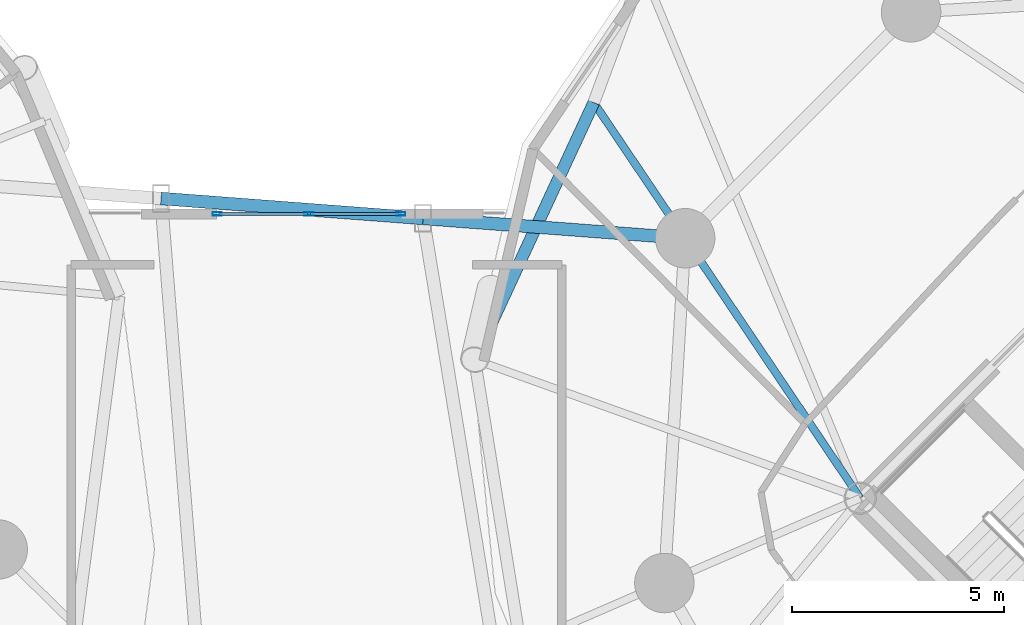
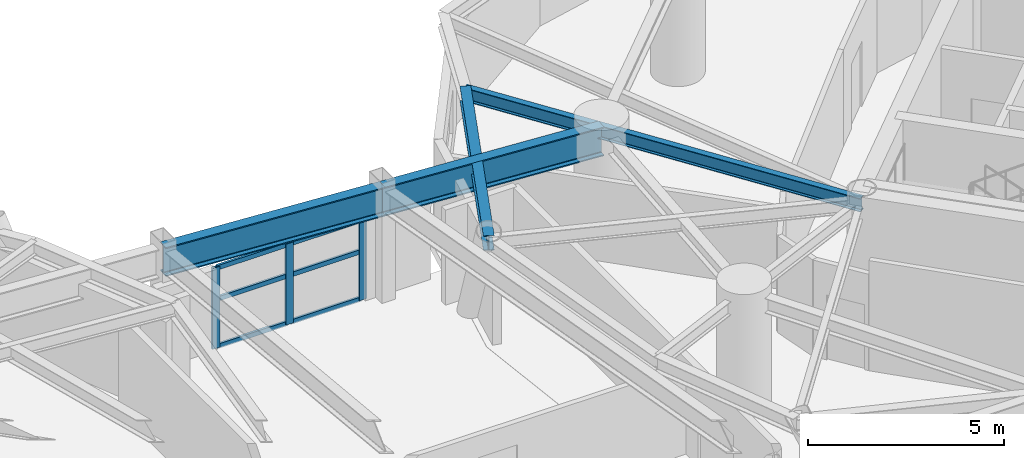
# One storey, part 6 of 19: 9 members, 4 beams, 1 element without a shape of its own.
"""IFC4 building model written with IfcOpenShell, lengths in metres."""

from ifc_helpers import new_model, si_unit, direction, frame, origin, origin_2d, place, context, subcontext, project, spatial, hollow_rectangle, i_section, extrude, material, layer, layer_set, material_profile, profile_set, type_object, element, aggregate, save


model = new_model("IFC4")

# Units and contexts
model_context = context("Model", 3, precision=1e-05, world=origin(), true_north=direction((0.0, 1.0)))
body_context = subcontext(model_context, "Body", "Model", "MODEL_VIEW")
ifc_project = project(units=[si_unit("LENGTHUNIT", "METRE"), si_unit("AREAUNIT", "SQUARE_METRE"), si_unit("VOLUMEUNIT", "CUBIC_METRE"), si_unit("PLANEANGLEUNIT", "RADIAN"), si_unit("MASSUNIT", "GRAM", prefix="KILO")], contexts=[model_context])

# Site, building, storey
site_placement = place(None, origin())
site = spatial("IfcSite", under=ifc_project, at=site_placement, CompositionType="ELEMENT")
building_placement = place(site_placement, origin())
building = spatial("IfcBuilding", under=site, at=building_placement, Name="Cununo Teusaquillo Station Towers", CompositionType="ELEMENT")
storey_placement = place(building_placement, frame((0.0, 0.0, 136.60009765625)))
storey = spatial("IfcBuildingStorey", under=building, at=storey_placement, Name="L43", CompositionType="ELEMENT", Elevation=136.60009765625)

# Beams
ifc_material_1 = material(Name="Steel EN 10025-2 S355J2", Category="steel")
ifc_material_profile_1 = material_profile(ifc_material_1, i_section(OverallWidth=0.300048828125, OverallDepth=0.89990234375, WebThickness=0.0185546875, FlangeThickness=0.034912109375, FilletRadius=0.027099609375, at=origin_2d()), Name="HEB 900")
ifc_profile_set_1 = profile_set([ifc_material_profile_1], Name="Steel EN 10025-2 S355J2")
beam_type_1 = type_object("IfcBeamType", Name="BM-BRG-CH2", PredefinedType="BEAM", material=ifc_profile_set_1)
beam_1_placement = place(storey_placement, frame((32.51611328125, 32.761474609375, 2.989990234375), z_axis=(0.997143183449, -0.075534572886, 0.0), x_axis=(0.075534572886, 0.997143183449, 0.0)))
element("IfcBeam", 1, at=beam_1_placement, inside=storey, type_object=beam_type_1, Name="L43 Mid-Bridge Chord N2", PredefinedType="BEAM", context=body_context, shape_type="SweptSolid", body=[
    extrude(i_section(OverallWidth=0.300048828125, OverallDepth=0.89990234375, WebThickness=0.0185546875, FlangeThickness=0.034912109375, FilletRadius=0.027099609375, at=origin_2d()), origin(), (0.0, 0.0, 1.0), 6.186279296875),
])
beam_2_placement = place(storey_placement, frame((38.684814453125, 32.294189453125, 2.989990234375), z_axis=(0.997143408598, -0.075531600604, 0.0), x_axis=(0.075531600604, 0.997143408598, 0.0)))
element("IfcBeam", 2, at=beam_2_placement, inside=storey, type_object=beam_type_1, Name="L43 Mid-Bridge Chord N3", PredefinedType="BEAM", context=body_context, shape_type="SweptSolid", body=[
    extrude(i_section(OverallWidth=0.300048828125, OverallDepth=0.89990234375, WebThickness=0.0185546875, FlangeThickness=0.034912109375, FilletRadius=0.027099609375, at=origin_2d()), origin(), (0.0, 0.0, 1.0), 6.1865234375),
])
ifc_material_2 = material(Name="Steel ASTM A572 Grade 50", Category="steel")
ifc_material_profile_2 = material_profile(ifc_material_2, i_section(OverallWidth=0.180908203125, OverallDepth=0.4169921875, WebThickness=0.010986328125, FlangeThickness=0.018310546875, FilletRadius=0.012939453125, at=origin_2d()), Name="W16X57")
ifc_profile_set_2 = profile_set([ifc_material_profile_2], Name="Steel ASTM A572 Grade 50")
beam_type_2 = type_object("IfcBeamType", Name="BM-RAD-G2", PredefinedType="BEAM", material=ifc_profile_set_2)
beam_3_placement = place(storey_placement, frame((48.975830078125, 25.70556640625, 3.2314453125), z_axis=(-0.558572297481, 0.82945583878, 0.0), x_axis=(-0.82945583878, -0.558572297481, 0.0)))
element("IfcBeam", 3, at=beam_3_placement, inside=storey, type_object=beam_type_2, Name="L43 Tower B Continuous Overhanging Radial Girder 04", PredefinedType="BEAM", context=body_context, shape_type="SweptSolid", body=[
    extrude(i_section(OverallWidth=0.180908203125, OverallDepth=0.4169921875, WebThickness=0.010986328125, FlangeThickness=0.018310546875, FilletRadius=0.012939453125, at=origin_2d()), origin(), (0.0, 0.0, 1.0), 11.22998046875),
])
ifc_material_3 = material(Name="Steel ASTM A572 Grade 50", Category="steel")
ifc_material_profile_3 = material_profile(ifc_material_3, i_section(OverallWidth=0.280029296875, OverallDepth=0.462890625, WebThickness=0.0107421875, FlangeThickness=0.017333984375, FilletRadius=0.013916015625, at=origin_2d()), Name="W18X76")
ifc_profile_set_3 = profile_set([ifc_material_profile_3], Name="Steel ASTM A572 Grade 50")
beam_type_3 = type_object("IfcBeamType", Name="BM-RING-Z2", PredefinedType="SPANDREL", material=ifc_profile_set_3)
beam_4_placement = place(storey_placement, frame((42.703125, 35.020263671875, 3.20849609375), z_axis=(-0.420535961689, -0.907275870354, 0.0), x_axis=(0.907275870354, -0.420535961689, 0.0)))
element("IfcBeam", 4, at=beam_4_placement, inside=storey, type_object=beam_type_3, Name="L43 Tower B Spandrel Ring Beam 07", PredefinedType="SPANDREL", context=body_context, shape_type="SweptSolid", body=[
    extrude(i_section(OverallWidth=0.280029296875, OverallDepth=0.462890625, WebThickness=0.0107421875, FlangeThickness=0.017333984375, FilletRadius=0.013916015625, at=origin_2d()), origin(), (0.0, 0.0, 1.0), 6.671142578125),
])

# Curtain wall, members
ifc_material_4 = material(Name="Ceramic-fritted dark low-E double glazing", Category="glass")
ifc_layer = layer(ifc_material_4, 0.179931640625)
ifc_layer_set = layer_set([ifc_layer], Name="Ceramic-fritted dark low-E double glazing")
curtain_wall_type = type_object("IfcCurtainWallType", Name="CW-SYS-05", PredefinedType="USERDEFINED", material=ifc_layer_set)
curtain_wall_placement = place(storey_placement, origin())
curtain_wall = element("IfcCurtainWall", 5, at=curtain_wall_placement, inside=storey, type_object=curtain_wall_type, Name="L43 Mid-Bridge N Observation Curtain Wall", ObjectType="FRITTED GLAZING", PredefinedType="USERDEFINED")
ifc_material_5 = material(Name="Anodised dark bronze aluminium EN AW-6063-T6", Category="aluminium")
ifc_material_profile_4 = material_profile(ifc_material_5, hollow_rectangle(XDim=0.080078125, YDim=0.219970703125, WallThickness=0.0048828125, at=origin_2d()), Name="CW-MULL-80x220")
ifc_profile_set_4 = profile_set([ifc_material_profile_4], Name="Anodised dark bronze aluminium EN AW-6063-T6")
member_type_1 = type_object("IfcMemberType", Name="CWM-220", PredefinedType="MULLION", material=ifc_profile_set_4)
member_1_placement = place(storey_placement, frame((33.840087890625, 32.39990234375, 0.0), z_axis=(0.0, 0.0, 1.0), x_axis=(0.0, 1.0, 0.0)))
member_1 = element("IfcMember", 6, at=member_1_placement, type_object=member_type_1, Name="CW-05 mullion 1", PredefinedType="MULLION", context=body_context, shape_type="SweptSolid", body=[
    extrude(hollow_rectangle(XDim=0.080078125, YDim=0.219970703125, WallThickness=0.0048828125, at=origin_2d()), origin(), (0.0, 0.0, 1.0), 2.511962890625),
])
member_2_placement = place(storey_placement, frame((36.0, 32.39990234375, 0.0), z_axis=(0.0, 0.0, 1.0), x_axis=(0.0, 1.0, 0.0)))
member_2 = element("IfcMember", 7, at=member_2_placement, type_object=member_type_1, Name="CW-05 mullion 2", PredefinedType="MULLION", context=body_context, shape_type="SweptSolid", body=[
    extrude(hollow_rectangle(XDim=0.080078125, YDim=0.219970703125, WallThickness=0.0048828125, at=origin_2d()), origin(), (0.0, 0.0, 1.0), 2.511962890625),
])
member_3_placement = place(storey_placement, frame((38.159912109375, 32.39990234375, 0.0), z_axis=(0.0, 0.0, 1.0), x_axis=(0.0, 1.0, 0.0)))
member_3 = element("IfcMember", 8, at=member_3_placement, type_object=member_type_1, Name="CW-05 mullion 3", PredefinedType="MULLION", context=body_context, shape_type="SweptSolid", body=[
    extrude(hollow_rectangle(XDim=0.080078125, YDim=0.219970703125, WallThickness=0.0048828125, at=origin_2d()), origin(), (0.0, 0.0, 1.0), 2.511962890625),
])
ifc_material_6 = material(Name="Anodised dark bronze aluminium EN AW-6063-T6", Category="aluminium")
ifc_material_profile_5 = material_profile(ifc_material_6, hollow_rectangle(XDim=0.070068359375, YDim=0.139892578125, WallThickness=0.00390625, at=origin_2d()), Name="CW-TRAN-70x140")
ifc_profile_set_5 = profile_set([ifc_material_profile_5], Name="Anodised dark bronze aluminium EN AW-6063-T6")
member_type_2 = type_object("IfcMemberType", Name="CWT-140", PredefinedType="USERDEFINED", material=ifc_profile_set_5)
member_4_placement = place(storey_placement, frame((33.8798828125, 32.39990234375, 0.034912109375), z_axis=(1.0, 0.0, 0.0), x_axis=(0.0, 1.0, 0.0)))
member_4 = element("IfcMember", 9, at=member_4_placement, type_object=member_type_2, Name="CW-05 transom 1.1", ObjectType="TRANSOM", PredefinedType="USERDEFINED", context=body_context, shape_type="SweptSolid", body=[
    extrude(hollow_rectangle(XDim=0.070068359375, YDim=0.139892578125, WallThickness=0.00390625, at=origin_2d()), origin(), (0.0, 0.0, 1.0), 2.080078125),
])
member_5_placement = place(storey_placement, frame((33.8798828125, 32.39990234375, 1.5068359375), z_axis=(1.0, 0.0, 0.0), x_axis=(0.0, 1.0, 0.0)))
member_5 = element("IfcMember", 10, at=member_5_placement, type_object=member_type_2, Name="CW-05 transom 1.2", ObjectType="TRANSOM", PredefinedType="USERDEFINED", context=body_context, shape_type="SweptSolid", body=[
    extrude(hollow_rectangle(XDim=0.070068359375, YDim=0.139892578125, WallThickness=0.00390625, at=origin_2d()), origin(), (0.0, 0.0, 1.0), 2.080078125),
])
member_6_placement = place(storey_placement, frame((33.8798828125, 32.39990234375, 2.476806640625), z_axis=(1.0, 0.0, 0.0), x_axis=(0.0, 1.0, 0.0)))
member_6 = element("IfcMember", 11, at=member_6_placement, type_object=member_type_2, Name="CW-05 transom 1.3", ObjectType="TRANSOM", PredefinedType="USERDEFINED", context=body_context, shape_type="SweptSolid", body=[
    extrude(hollow_rectangle(XDim=0.070068359375, YDim=0.139892578125, WallThickness=0.00390625, at=origin_2d()), origin(), (0.0, 0.0, 1.0), 2.080078125),
])
member_7_placement = place(storey_placement, frame((36.0400390625, 32.39990234375, 0.034912109375), z_axis=(1.0, 0.0, 0.0), x_axis=(0.0, 1.0, 0.0)))
member_7 = element("IfcMember", 12, at=member_7_placement, type_object=member_type_2, Name="CW-05 transom 2.1", ObjectType="TRANSOM", PredefinedType="USERDEFINED", context=body_context, shape_type="SweptSolid", body=[
    extrude(hollow_rectangle(XDim=0.070068359375, YDim=0.139892578125, WallThickness=0.00390625, at=origin_2d()), origin(), (0.0, 0.0, 1.0), 2.080078125),
])
member_8_placement = place(storey_placement, frame((36.0400390625, 32.39990234375, 1.5068359375), z_axis=(1.0, 0.0, 0.0), x_axis=(0.0, 1.0, 0.0)))
member_8 = element("IfcMember", 13, at=member_8_placement, type_object=member_type_2, Name="CW-05 transom 2.2", ObjectType="TRANSOM", PredefinedType="USERDEFINED", context=body_context, shape_type="SweptSolid", body=[
    extrude(hollow_rectangle(XDim=0.070068359375, YDim=0.139892578125, WallThickness=0.00390625, at=origin_2d()), origin(), (0.0, 0.0, 1.0), 2.080078125),
])
member_9_placement = place(storey_placement, frame((36.0400390625, 32.39990234375, 2.476806640625), z_axis=(1.0, 0.0, 0.0), x_axis=(0.0, 1.0, 0.0)))
member_9 = element("IfcMember", 14, at=member_9_placement, type_object=member_type_2, Name="CW-05 transom 2.3", ObjectType="TRANSOM", PredefinedType="USERDEFINED", context=body_context, shape_type="SweptSolid", body=[
    extrude(hollow_rectangle(XDim=0.070068359375, YDim=0.139892578125, WallThickness=0.00390625, at=origin_2d()), origin(), (0.0, 0.0, 1.0), 2.080078125),
])
aggregate(curtain_wall, [member_1, member_2, member_3, member_4, member_5, member_6, member_7, member_8, member_9])

save(model, "model.ifc")
